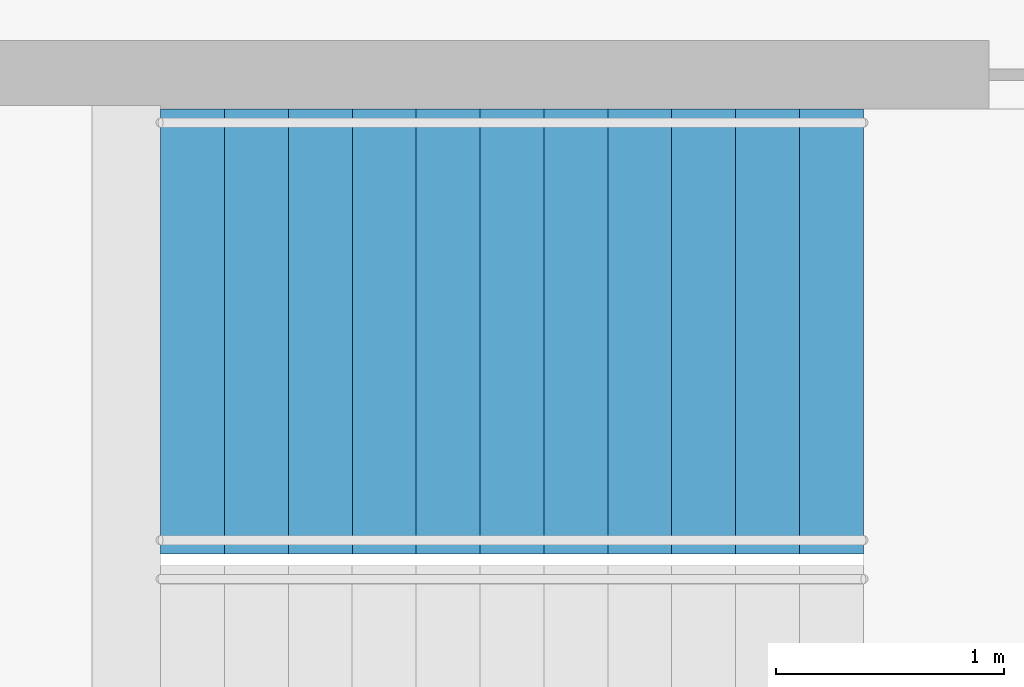
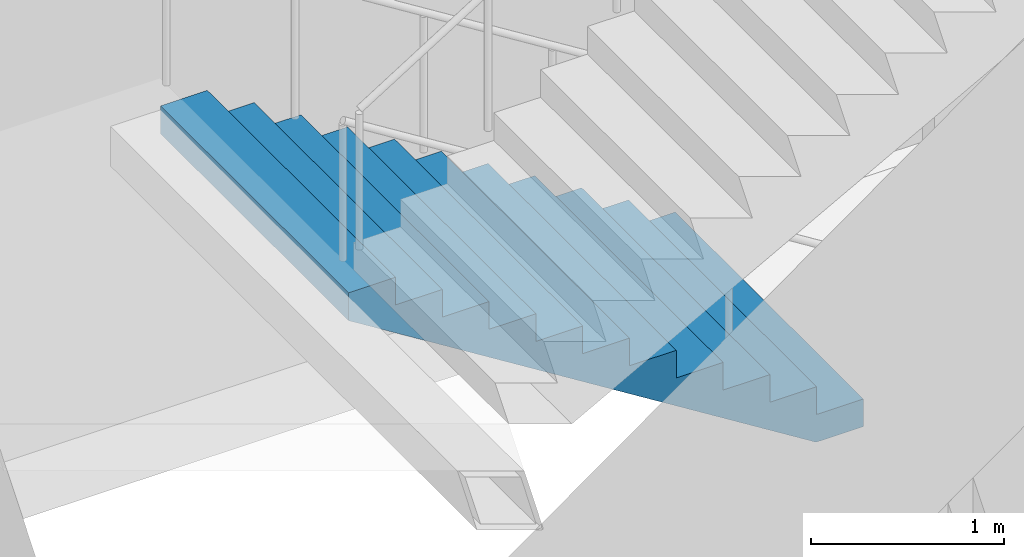
# One storey, part 22 of 23: 1 stair flight, 1 element without a shape of its own.
"""IFC4 building model written with IfcOpenShell, lengths in metres."""

from ifc_helpers import new_model, si_unit, direction, frame, origin, place, context, subcontext, project, spatial, triangles, material, type_object, element, aggregate, save


model = new_model("IFC4")

# Units and contexts
model_context = context("Model", 3, precision=1e-05, world=origin(), true_north=direction((0.0, 1.0)))
body_context = subcontext(model_context, "Body", "Model", "MODEL_VIEW")
ifc_project = project(units=[si_unit("LENGTHUNIT", "METRE"), si_unit("AREAUNIT", "SQUARE_METRE"), si_unit("VOLUMEUNIT", "CUBIC_METRE"), si_unit("PLANEANGLEUNIT", "RADIAN"), si_unit("MASSUNIT", "GRAM", prefix="KILO")], contexts=[model_context])

# Site, building, storey
site_placement = place(None, origin())
site = spatial("IfcSite", under=ifc_project, at=site_placement, CompositionType="ELEMENT")
building_placement = place(site_placement, origin())
building = spatial("IfcBuilding", under=site, at=building_placement, Name="Orbita Commons", CompositionType="ELEMENT")
storey_placement = place(building_placement, frame((0.0, 0.0, 16.0)))
storey = spatial("IfcBuildingStorey", under=building, at=storey_placement, Name="L03", CompositionType="ELEMENT", Elevation=16.0)

# Stair, stair flight
ifc_material_1 = material(Name="Precast concrete C40/50", Category="concrete")
stair_type = type_object("IfcStairType", Name="Exit stair S2 2 flights 12 risers 175", PredefinedType="HALF_TURN_STAIR", material=ifc_material_1)
stair_placement = place(storey_placement, origin())
stair = element("IfcStair", 1, at=stair_placement, inside=storey, type_object=stair_type, Name="Exit stair S2 L03", PredefinedType="HALF_TURN_STAIR")
ifc_material_2 = material(Name="Precast concrete C40/50", Category="concrete")
stair_flight_type = type_object("IfcStairFlightType", Name="Stair flight 12 risers 175 x 280", PredefinedType="STRAIGHT", material=ifc_material_2)
stair_flight_placement = place(storey_placement, frame((63.550048828125, 29.27490234375, 0.0), z_axis=(0.0, 0.0, 1.0), x_axis=(-1.0, 0.0, 0.0)))
stair_flight = element("IfcStairFlight", 2, at=stair_flight_placement, type_object=stair_flight_type, Name="S2 flight 1", NumberOfRisers=12, NumberOfTreads=11, PredefinedType="STRAIGHT", RiserHeight=0.175, TreadLength=0.28, context=body_context, shape_type="Tessellation", body=[
    triangles([(0.0, 0.974976, 0.0), (0.0, 0.974976, 0.021875), (0.0, 0.81248, 0.021875), (0.0, 0.81248, 0.0), (0.0, 0.649984, 0.021875), (0.0, 0.649984, 0.0), (0.0, 0.487488, 0.021875), (0.0, 0.487488, 0.0), (0.0, 0.324992, 0.021875), (0.0, 0.324992, 0.0), (0.0, 0.162496, 0.021875), (0.0, 0.162496, 0.0), (0.0, 0.0, 0.021875), (0.0, 0.0, 0.0), (0.0, -0.162496, 0.021875), (0.0, -0.162496, 0.0), (0.0, -0.324992, 0.021875), (0.0, -0.324992, 0.0), (0.0, -0.487488, 0.021875), (0.0, -0.487488, 0.0), (0.0, -0.649984, 0.021875), (0.0, -0.649984, 0.0), (0.0, -0.81248, 0.021875), (0.0, -0.81248, 0.0), (0.0, -0.974976, 0.021875), (0.0, -0.974976, 0.0), (0.0, 0.974976, 0.04375), (0.0, 0.81248, 0.04375), (0.0, 0.649984, 0.04375), (0.0, 0.487488, 0.04375), (0.0, 0.324992, 0.04375), (0.0, 0.162496, 0.04375), (0.0, 0.0, 0.04375), (0.0, -0.162496, 0.04375), (0.0, -0.324992, 0.04375), (0.0, -0.487488, 0.04375), (0.0, -0.649984, 0.04375), (0.0, -0.81248, 0.04375), (0.0, -0.974976, 0.04375), (0.0, 0.974976, 0.065625), (0.0, 0.81248, 0.065625), (0.0, 0.649984, 0.065625), (0.0, 0.487488, 0.065625), (0.0, 0.324992, 0.065625), (0.0, 0.162496, 0.065625), (0.0, 0.0, 0.065625), (0.0, -0.162496, 0.065625), (0.0, -0.324992, 0.065625), (0.0, -0.487488, 0.065625), (0.0, -0.649984, 0.065625), (0.0, -0.81248, 0.065625), (0.0, -0.974976, 0.065625), (0.0, 0.974976, 0.0875), (0.0, 0.81248, 0.0875), (0.0, 0.649984, 0.0875), (0.0, 0.487488, 0.0875), (0.0, 0.324992, 0.0875), (0.0, 0.162496, 0.0875), (0.0, 0.0, 0.0875), (0.0, -0.162496, 0.0875), (0.0, -0.324992, 0.0875), (0.0, -0.487488, 0.0875), (0.0, -0.649984, 0.0875), (0.0, -0.81248, 0.0875), (0.0, -0.974976, 0.0875), (0.0, 0.974976, 0.109375), (0.0, 0.81248, 0.109375), (0.0, 0.649984, 0.109375), (0.0, 0.487488, 0.109375), (0.0, 0.324992, 0.109375), (0.0, 0.162496, 0.109375), (0.0, 0.0, 0.109375), (0.0, -0.162496, 0.109375), (0.0, -0.324992, 0.109375), (0.0, -0.487488, 0.109375), (0.0, -0.649984, 0.109375), (0.0, -0.81248, 0.109375), (0.0, -0.974976, 0.109375), (0.0, 0.974976, 0.13125), (0.0, 0.81248, 0.13125), (0.0, 0.649984, 0.13125), (0.0, 0.487488, 0.13125), (0.0, 0.324992, 0.13125), (0.0, 0.162496, 0.13125), (0.0, 0.0, 0.13125), (0.0, -0.162496, 0.13125), (0.0, -0.324992, 0.13125), (0.0, -0.487488, 0.13125), (0.0, -0.649984, 0.13125), (0.0, -0.81248, 0.13125), (0.0, -0.974976, 0.13125), (0.0, 0.974976, 0.153125), (0.0, 0.81248, 0.153125), (0.0, 0.649984, 0.153125), (0.0, 0.487488, 0.153125), (0.0, 0.324992, 0.153125), (0.0, 0.162496, 0.153125), (0.0, 0.0, 0.153125), (0.0, -0.162496, 0.153125), (0.0, -0.324992, 0.153125), (0.0, -0.487488, 0.153125), (0.0, -0.649984, 0.153125), (0.0, -0.81248, 0.153125), (0.0, -0.974976, 0.153125), (0.0, 0.974976, 0.175), (0.0, 0.81248, 0.175), (0.0, 0.649984, 0.175), (0.0, 0.487488, 0.175), (0.0, 0.324992, 0.175), (0.0, 0.162496, 0.175), (0.0, 0.0, 0.175), (0.0, -0.162496, 0.175), (0.0, -0.324992, 0.175), (0.0, -0.487488, 0.175), (0.0, -0.649984, 0.175), (0.0, -0.81248, 0.175), (0.0, -0.974976, 0.175), (0.28, 0.974976, 0.175), (0.28, 0.81248, 0.175), (0.28, 0.649984, 0.175), (0.28, 0.487488, 0.175), (0.28, 0.324992, 0.175), (0.28, 0.162496, 0.175), (0.28, 0.0, 0.175), (0.28, -0.162496, 0.175), (0.28, -0.324992, 0.175), (0.28, -0.487488, 0.175), (0.28, -0.649984, 0.175), (0.28, -0.81248, 0.175), (0.28, -0.974976, 0.175), (0.28, 0.974976, 0.35), (0.28, 0.81248, 0.35), (0.28, 0.649984, 0.35), (0.28, 0.487488, 0.35), (0.28, 0.324992, 0.35), (0.28, 0.162496, 0.35), (0.28, 0.0, 0.35), (0.28, -0.162496, 0.35), (0.28, -0.324992, 0.35), (0.28, -0.487488, 0.35), (0.28, -0.649984, 0.35), (0.28, -0.81248, 0.35), (0.28, -0.974976, 0.35), (0.56, 0.974976, 0.35), (0.56, 0.81248, 0.35), (0.56, 0.649984, 0.35), (0.56, 0.487488, 0.35), (0.56, 0.324992, 0.35), (0.56, 0.162496, 0.35), (0.56, 0.0, 0.35), (0.56, -0.162496, 0.35), (0.56, -0.324992, 0.35), (0.56, -0.487488, 0.35), (0.56, -0.649984, 0.35), (0.56, -0.81248, 0.35), (0.56, -0.974976, 0.35), (0.56, 0.974976, 0.525), (0.56, 0.81248, 0.525), (0.56, 0.649984, 0.525), (0.56, 0.487488, 0.525), (0.56, 0.324992, 0.525), (0.56, 0.162496, 0.525), (0.56, 0.0, 0.525), (0.56, -0.162496, 0.525), (0.56, -0.324992, 0.525), (0.56, -0.487488, 0.525), (0.56, -0.649984, 0.525), (0.56, -0.81248, 0.525), (0.56, -0.974976, 0.525), (0.84, 0.974976, 0.525), (0.84, 0.81248, 0.525), (0.84, 0.649984, 0.525), (0.84, 0.487488, 0.525), (0.84, 0.324992, 0.525), (0.84, 0.162496, 0.525), (0.84, 0.0, 0.525), (0.84, -0.162496, 0.525), (0.84, -0.324992, 0.525), (0.84, -0.487488, 0.525), (0.84, -0.649984, 0.525), (0.84, -0.81248, 0.525), (0.84, -0.974976, 0.525), (0.84, 0.974976, 0.7), (0.84, 0.81248, 0.7), (0.84, 0.649984, 0.7), (0.84, 0.487488, 0.7), (0.84, 0.324992, 0.7), (0.84, 0.162496, 0.7), (0.84, 0.0, 0.7), (0.84, -0.162496, 0.7), (0.84, -0.324992, 0.7), (0.84, -0.487488, 0.7), (0.84, -0.649984, 0.7), (0.84, -0.81248, 0.7), (0.84, -0.974976, 0.7), (1.12, 0.974976, 0.7), (1.12, 0.81248, 0.7), (1.12, 0.649984, 0.7), (1.12, 0.487488, 0.7), (1.12, 0.324992, 0.7), (1.12, 0.162496, 0.7), (1.12, 0.0, 0.7), (1.12, -0.162496, 0.7), (1.12, -0.324992, 0.7), (1.12, -0.487488, 0.7), (1.12, -0.649984, 0.7), (1.12, -0.81248, 0.7), (1.12, -0.974976, 0.7), (1.12, 0.974976, 0.875), (1.12, 0.81248, 0.875), (1.12, 0.649984, 0.875), (1.12, 0.487488, 0.875), (1.12, 0.324992, 0.875), (1.12, 0.162496, 0.875), (1.12, 0.0, 0.875), (1.12, -0.162496, 0.875), (1.12, -0.324992, 0.875), (1.12, -0.487488, 0.875), (1.12, -0.649984, 0.875), (1.12, -0.81248, 0.875), (1.12, -0.974976, 0.875), (1.4, 0.974976, 0.875), (1.4, 0.81248, 0.875), (1.4, 0.649984, 0.875), (1.4, 0.487488, 0.875), (1.4, 0.324992, 0.875), (1.4, 0.162496, 0.875), (1.4, 0.0, 0.875), (1.4, -0.162496, 0.875), (1.4, -0.324992, 0.875), (1.4, -0.487488, 0.875), (1.4, -0.649984, 0.875), (1.4, -0.81248, 0.875), (1.4, -0.974976, 0.875), (1.4, 0.974976, 1.05), (1.4, 0.81248, 1.05), (1.4, 0.649984, 1.05), (1.4, 0.487488, 1.05), (1.4, 0.324992, 1.05), (1.4, 0.162496, 1.05), (1.4, 0.0, 1.05), (1.4, -0.162496, 1.05), (1.4, -0.324992, 1.05), (1.4, -0.487488, 1.05), (1.4, -0.649984, 1.05), (1.4, -0.81248, 1.05), (1.4, -0.974976, 1.05), (1.68, 0.974976, 1.05), (1.68, 0.81248, 1.05), (1.68, 0.649984, 1.05), (1.68, 0.487488, 1.05), (1.68, 0.324992, 1.05), (1.68, 0.162496, 1.05), (1.68, 0.0, 1.05), (1.68, -0.162496, 1.05), (1.68, -0.324992, 1.05), (1.68, -0.487488, 1.05), (1.68, -0.649984, 1.05), (1.68, -0.81248, 1.05), (1.68, -0.974976, 1.05), (1.68, 0.974976, 1.225), (1.68, 0.81248, 1.225), (1.68, 0.649984, 1.225), (1.68, 0.487488, 1.225), (1.68, 0.324992, 1.225), (1.68, 0.162496, 1.225), (1.68, 0.0, 1.225), (1.68, -0.162496, 1.225), (1.68, -0.324992, 1.225), (1.68, -0.487488, 1.225), (1.68, -0.649984, 1.225), (1.68, -0.81248, 1.225), (1.68, -0.974976, 1.225), (1.96, 0.974976, 1.225), (1.96, 0.81248, 1.225), (1.96, 0.649984, 1.225), (1.96, 0.487488, 1.225), (1.96, 0.324992, 1.225), (1.96, 0.162496, 1.225), (1.96, 0.0, 1.225), (1.96, -0.162496, 1.225), (1.96, -0.324992, 1.225), (1.96, -0.487488, 1.225), (1.96, -0.649984, 1.225), (1.96, -0.81248, 1.225), (1.96, -0.974976, 1.225), (1.96, 0.974976, 1.4), (1.96, 0.81248, 1.4), (1.96, 0.649984, 1.4), (1.96, 0.487488, 1.4), (1.96, 0.324992, 1.4), (1.96, 0.162496, 1.4), (1.96, 0.0, 1.4), (1.96, -0.162496, 1.4), (1.96, -0.324992, 1.4), (1.96, -0.487488, 1.4), (1.96, -0.649984, 1.4), (1.96, -0.81248, 1.4), (1.96, -0.974976, 1.4), (2.24, 0.974976, 1.4), (2.24, 0.81248, 1.4), (2.24, 0.649984, 1.4), (2.24, 0.487488, 1.4), (2.24, 0.324992, 1.4), (2.24, 0.162496, 1.4), (2.24, 0.0, 1.4), (2.24, -0.162496, 1.4), (2.24, -0.324992, 1.4), (2.24, -0.487488, 1.4), (2.24, -0.649984, 1.4), (2.24, -0.81248, 1.4), (2.24, -0.974976, 1.4), (2.24, 0.974976, 1.575), (2.24, 0.81248, 1.575), (2.24, 0.649984, 1.575), (2.24, 0.487488, 1.575), (2.24, 0.324992, 1.575), (2.24, 0.162496, 1.575), (2.24, 0.0, 1.575), (2.24, -0.162496, 1.575), (2.24, -0.324992, 1.575), (2.24, -0.487488, 1.575), (2.24, -0.649984, 1.575), (2.24, -0.81248, 1.575), (2.24, -0.974976, 1.575), (2.52, 0.974976, 1.575), (2.52, 0.81248, 1.575), (2.52, 0.649984, 1.575), (2.52, 0.487488, 1.575), (2.52, 0.324992, 1.575), (2.52, 0.162496, 1.575), (2.52, 0.0, 1.575), (2.52, -0.162496, 1.575), (2.52, -0.324992, 1.575), (2.52, -0.487488, 1.575), (2.52, -0.649984, 1.575), (2.52, -0.81248, 1.575), (2.52, -0.974976, 1.575), (2.52, 0.974976, 1.75), (2.52, 0.81248, 1.75), (2.52, 0.649984, 1.75), (2.52, 0.487488, 1.75), (2.52, 0.324992, 1.75), (2.52, 0.162496, 1.75), (2.52, 0.0, 1.75), (2.52, -0.162496, 1.75), (2.52, -0.324992, 1.75), (2.52, -0.487488, 1.75), (2.52, -0.649984, 1.75), (2.52, -0.81248, 1.75), (2.52, -0.974976, 1.75), (2.8, 0.974976, 1.75), (2.8, 0.81248, 1.75), (2.8, 0.649984, 1.75), (2.8, 0.487488, 1.75), (2.8, 0.324992, 1.75), (2.8, 0.162496, 1.75), (2.8, 0.0, 1.75), (2.8, -0.162496, 1.75), (2.8, -0.324992, 1.75), (2.8, -0.487488, 1.75), (2.8, -0.649984, 1.75), (2.8, -0.81248, 1.75), (2.8, -0.974976, 1.75), (2.8, 0.974976, 1.925), (2.8, 0.81248, 1.925), (2.8, 0.649984, 1.925), (2.8, 0.487488, 1.925), (2.8, 0.324992, 1.925), (2.8, 0.162496, 1.925), (2.8, 0.0, 1.925), (2.8, -0.162496, 1.925), (2.8, -0.324992, 1.925), (2.8, -0.487488, 1.925), (2.8, -0.649984, 1.925), (2.8, -0.81248, 1.925), (2.8, -0.974976, 1.925), (3.08, 0.974976, 1.925), (3.08, 0.81248, 1.925), (3.08, 0.649984, 1.925), (3.08, 0.487488, 1.925), (3.08, 0.324992, 1.925), (3.08, 0.162496, 1.925), (3.08, 0.0, 1.925), (3.08, -0.162496, 1.925), (3.08, -0.324992, 1.925), (3.08, -0.487488, 1.925), (3.08, -0.649984, 1.925), (3.08, -0.81248, 1.925), (3.08, -0.974976, 1.925), (3.08, 0.974976, 1.902904), (3.08, 0.81248, 1.902904), (3.08, 0.649984, 1.902904), (3.08, 0.487488, 1.902904), (3.08, 0.324992, 1.902904), (3.08, 0.162496, 1.902904), (3.08, 0.0, 1.902904), (3.08, -0.162496, 1.902904), (3.08, -0.324992, 1.902904), (3.08, -0.487488, 1.902904), (3.08, -0.649984, 1.902904), (3.08, -0.81248, 1.902904), (3.08, -0.974976, 1.902904), (3.08, 0.974976, 1.880807), (3.08, 0.81248, 1.880807), (3.08, 0.649984, 1.880807), (3.08, 0.487488, 1.880807), (3.08, 0.324992, 1.880807), (3.08, 0.162496, 1.880807), (3.08, 0.0, 1.880807), (3.08, -0.162496, 1.880807), (3.08, -0.324992, 1.880807), (3.08, -0.487488, 1.880807), (3.08, -0.649984, 1.880807), (3.08, -0.81248, 1.880807), (3.08, -0.974976, 1.880807), (3.08, 0.974976, 1.858711), (3.08, 0.81248, 1.858711), (3.08, 0.649984, 1.858711), (3.08, 0.487488, 1.858711), (3.08, 0.324992, 1.858711), (3.08, 0.162496, 1.858711), (3.08, 0.0, 1.858711), (3.08, -0.162496, 1.858711), (3.08, -0.324992, 1.858711), (3.08, -0.487488, 1.858711), (3.08, -0.649984, 1.858711), (3.08, -0.81248, 1.858711), (3.08, -0.974976, 1.858711), (3.08, 0.974976, 1.836614), (3.08, 0.81248, 1.836614), (3.08, 0.649984, 1.836614), (3.08, 0.487488, 1.836614), (3.08, 0.324992, 1.836614), (3.08, 0.162496, 1.836614), (3.08, 0.0, 1.836614), (3.08, -0.162496, 1.836614), (3.08, -0.324992, 1.836614), (3.08, -0.487488, 1.836614), (3.08, -0.649984, 1.836614), (3.08, -0.81248, 1.836614), (3.08, -0.974976, 1.836614), (3.08, 0.974976, 1.814518), (3.08, 0.81248, 1.814518), (3.08, 0.649984, 1.814518), (3.08, 0.487488, 1.814518), (3.08, 0.324992, 1.814518), (3.08, 0.162496, 1.814518), (3.08, 0.0, 1.814518), (3.08, -0.162496, 1.814518), (3.08, -0.324992, 1.814518), (3.08, -0.487488, 1.814518), (3.08, -0.649984, 1.814518), (3.08, -0.81248, 1.814518), (3.08, -0.974976, 1.814518), (3.08, 0.974976, 1.792421), (3.08, 0.81248, 1.792421), (3.08, 0.649984, 1.792421), (3.08, 0.487488, 1.792421), (3.08, 0.324992, 1.792421), (3.08, 0.162496, 1.792421), (3.08, 0.0, 1.792421), (3.08, -0.162496, 1.792421), (3.08, -0.324992, 1.792421), (3.08, -0.487488, 1.792421), (3.08, -0.649984, 1.792421), (3.08, -0.81248, 1.792421), (3.08, -0.974976, 1.792421), (3.08, 0.974976, 1.770325), (3.08, 0.81248, 1.770325), (3.08, 0.649984, 1.770325), (3.08, 0.487488, 1.770325), (3.08, 0.324992, 1.770325), (3.08, 0.162496, 1.770325), (3.08, 0.0, 1.770325), (3.08, -0.162496, 1.770325), (3.08, -0.324992, 1.770325), (3.08, -0.487488, 1.770325), (3.08, -0.649984, 1.770325), (3.08, -0.81248, 1.770325), (3.08, -0.974976, 1.770325), (3.08, 0.974976, 1.748228), (3.08, 0.81248, 1.748228), (3.08, 0.649984, 1.748228), (3.08, 0.487488, 1.748228), (3.08, 0.324992, 1.748228), (3.08, 0.162496, 1.748228), (3.08, 0.0, 1.748228), (3.08, -0.162496, 1.748228), (3.08, -0.324992, 1.748228), (3.08, -0.487488, 1.748228), (3.08, -0.649984, 1.748228), (3.08, -0.81248, 1.748228), (3.08, -0.974976, 1.748228), (0.282835, 0.974976, 0.0), (0.282835, 0.81248, 0.0), (0.282835, 0.649984, 0.0), (0.282835, 0.487488, 0.0), (0.282835, 0.324992, 0.0), (0.282835, 0.162496, 0.0), (0.282835, 0.0, 0.0), (0.282835, -0.162496, 0.0), (0.282835, -0.324992, 0.0), (0.282835, -0.487488, 0.0), (0.282835, -0.649984, 0.0), (0.282835, -0.81248, 0.0), (0.282835, -0.974976, 0.0)], [[3, 2, 1], [4, 3, 1], [5, 3, 4], [6, 5, 4], [7, 5, 6], [8, 7, 6], [9, 7, 8], [10, 9, 8], [11, 9, 10], [12, 11, 10], [13, 11, 12], [14, 13, 12], [15, 13, 14], [16, 15, 14], [17, 15, 16], [18, 17, 16], [19, 17, 18], [20, 19, 18], [21, 19, 20], [22, 21, 20], [23, 21, 22], [24, 23, 22], [25, 23, 24], [26, 25, 24], [28, 27, 2], [3, 28, 2], [29, 28, 3], [5, 29, 3], [30, 29, 5], [7, 30, 5], [31, 30, 7], [9, 31, 7], [32, 31, 9], [11, 32, 9], [33, 32, 11], [13, 33, 11], [34, 33, 13], [15, 34, 13], [35, 34, 15], [17, 35, 15], [36, 35, 17], [19, 36, 17], [37, 36, 19], [21, 37, 19], [38, 37, 21], [23, 38, 21], [39, 38, 23], [25, 39, 23], [41, 40, 27], [28, 41, 27], [42, 41, 28], [29, 42, 28], [43, 42, 29], [30, 43, 29], [44, 43, 30], [31, 44, 30], [45, 44, 31], [32, 45, 31], [46, 45, 32], [33, 46, 32], [47, 46, 33], [34, 47, 33], [48, 47, 34], [35, 48, 34], [49, 48, 35], [36, 49, 35], [50, 49, 36], [37, 50, 36], [51, 50, 37], [38, 51, 37], [52, 51, 38], [39, 52, 38], [54, 53, 40], [41, 54, 40], [55, 54, 41], [42, 55, 41], [56, 55, 42], [43, 56, 42], [57, 56, 43], [44, 57, 43], [58, 57, 44], [45, 58, 44], [59, 58, 45], [46, 59, 45], [60, 59, 46], [47, 60, 46], [61, 60, 47], [48, 61, 47], [62, 61, 48], [49, 62, 48], [63, 62, 49], [50, 63, 49], [64, 63, 50], [51, 64, 50], [65, 64, 51], [52, 65, 51], [67, 66, 53], [54, 67, 53], [68, 67, 54], [55, 68, 54], [69, 68, 55], [56, 69, 55], [70, 69, 56], [57, 70, 56], [71, 70, 57], [58, 71, 57], [72, 71, 58], [59, 72, 58], [73, 72, 59], [60, 73, 59], [74, 73, 60], [61, 74, 60], [75, 74, 61], [62, 75, 61], [76, 75, 62], [63, 76, 62], [77, 76, 63], [64, 77, 63], [78, 77, 64], [65, 78, 64], [80, 79, 66], [67, 80, 66], [81, 80, 67], [68, 81, 67], [82, 81, 68], [69, 82, 68], [83, 82, 69], [70, 83, 69], [84, 83, 70], [71, 84, 70], [85, 84, 71], [72, 85, 71], [86, 85, 72], [73, 86, 72], [87, 86, 73], [74, 87, 73], [88, 87, 74], [75, 88, 74], [89, 88, 75], [76, 89, 75], [90, 89, 76], [77, 90, 76], [91, 90, 77], [78, 91, 77], [93, 92, 79], [80, 93, 79], [94, 93, 80], [81, 94, 80], [95, 94, 81], [82, 95, 81], [96, 95, 82], [83, 96, 82], [97, 96, 83], [84, 97, 83], [98, 97, 84], [85, 98, 84], [99, 98, 85], [86, 99, 85], [100, 99, 86], [87, 100, 86], [101, 100, 87], [88, 101, 87], [102, 101, 88], [89, 102, 88], [103, 102, 89], [90, 103, 89], [104, 103, 90], [91, 104, 90], [106, 105, 92], [93, 106, 92], [107, 106, 93], [94, 107, 93], [108, 107, 94], [95, 108, 94], [109, 108, 95], [96, 109, 95], [110, 109, 96], [97, 110, 96], [111, 110, 97], [98, 111, 97], [112, 111, 98], [99, 112, 98], [113, 112, 99], [100, 113, 99], [114, 113, 100], [101, 114, 100], [115, 114, 101], [102, 115, 101], [116, 115, 102], [103, 116, 102], [117, 116, 103], [104, 117, 103], [119, 118, 105], [106, 119, 105], [120, 119, 106], [107, 120, 106], [121, 120, 107], [108, 121, 107], [122, 121, 108], [109, 122, 108], [123, 122, 109], [110, 123, 109], [124, 123, 110], [111, 124, 110], [125, 124, 111], [112, 125, 111], [126, 125, 112], [113, 126, 112], [127, 126, 113], [114, 127, 113], [128, 127, 114], [115, 128, 114], [129, 128, 115], [116, 129, 115], [130, 129, 116], [117, 130, 116], [132, 131, 118], [119, 132, 118], [133, 132, 119], [120, 133, 119], [134, 133, 120], [121, 134, 120], [135, 134, 121], [122, 135, 121], [136, 135, 122], [123, 136, 122], [137, 136, 123], [124, 137, 123], [138, 137, 124], [125, 138, 124], [139, 138, 125], [126, 139, 125], [140, 139, 126], [127, 140, 126], [141, 140, 127], [128, 141, 127], [142, 141, 128], [129, 142, 128], [143, 142, 129], [130, 143, 129], [145, 144, 131], [132, 145, 131], [146, 145, 132], [133, 146, 132], [147, 146, 133], [134, 147, 133], [148, 147, 134], [135, 148, 134], [149, 148, 135], [136, 149, 135], [150, 149, 136], [137, 150, 136], [151, 150, 137], [138, 151, 137], [152, 151, 138], [139, 152, 138], [153, 152, 139], [140, 153, 139], [154, 153, 140], [141, 154, 140], [155, 154, 141], [142, 155, 141], [156, 155, 142], [143, 156, 142], [158, 157, 144], [145, 158, 144], [159, 158, 145], [146, 159, 145], [160, 159, 146], [147, 160, 146], [161, 160, 147], [148, 161, 147], [162, 161, 148], [149, 162, 148], [163, 162, 149], [150, 163, 149], [164, 163, 150], [151, 164, 150], [165, 164, 151], [152, 165, 151], [166, 165, 152], [153, 166, 152], [167, 166, 153], [154, 167, 153], [168, 167, 154], [155, 168, 154], [169, 168, 155], [156, 169, 155], [171, 170, 157], [158, 171, 157], [172, 171, 158], [159, 172, 158], [173, 172, 159], [160, 173, 159], [174, 173, 160], [161, 174, 160], [175, 174, 161], [162, 175, 161], [176, 175, 162], [163, 176, 162], [177, 176, 163], [164, 177, 163], [178, 177, 164], [165, 178, 164], [179, 178, 165], [166, 179, 165], [180, 179, 166], [167, 180, 166], [181, 180, 167], [168, 181, 167], [182, 181, 168], [169, 182, 168], [184, 183, 170], [171, 184, 170], [185, 184, 171], [172, 185, 171], [186, 185, 172], [173, 186, 172], [187, 186, 173], [174, 187, 173], [188, 187, 174], [175, 188, 174], [189, 188, 175], [176, 189, 175], [190, 189, 176], [177, 190, 176], [191, 190, 177], [178, 191, 177], [192, 191, 178], [179, 192, 178], [193, 192, 179], [180, 193, 179], [194, 193, 180], [181, 194, 180], [195, 194, 181], [182, 195, 181], [197, 196, 183], [184, 197, 183], [198, 197, 184], [185, 198, 184], [199, 198, 185], [186, 199, 185], [200, 199, 186], [187, 200, 186], [201, 200, 187], [188, 201, 187], [202, 201, 188], [189, 202, 188], [203, 202, 189], [190, 203, 189], [204, 203, 190], [191, 204, 190], [205, 204, 191], [192, 205, 191], [206, 205, 192], [193, 206, 192], [207, 206, 193], [194, 207, 193], [208, 207, 194], [195, 208, 194], [210, 209, 196], [197, 210, 196], [211, 210, 197], [198, 211, 197], [212, 211, 198], [199, 212, 198], [213, 212, 199], [200, 213, 199], [214, 213, 200], [201, 214, 200], [215, 214, 201], [202, 215, 201], [216, 215, 202], [203, 216, 202], [217, 216, 203], [204, 217, 203], [218, 217, 204], [205, 218, 204], [219, 218, 205], [206, 219, 205], [220, 219, 206], [207, 220, 206], [221, 220, 207], [208, 221, 207], [223, 222, 209], [210, 223, 209], [224, 223, 210], [211, 224, 210], [225, 224, 211], [212, 225, 211], [226, 225, 212], [213, 226, 212], [227, 226, 213], [214, 227, 213], [228, 227, 214], [215, 228, 214], [229, 228, 215], [216, 229, 215], [230, 229, 216], [217, 230, 216], [231, 230, 217], [218, 231, 217], [232, 231, 218], [219, 232, 218], [233, 232, 219], [220, 233, 219], [234, 233, 220], [221, 234, 220], [236, 235, 222], [223, 236, 222], [237, 236, 223], [224, 237, 223], [238, 237, 224], [225, 238, 224], [239, 238, 225], [226, 239, 225], [240, 239, 226], [227, 240, 226], [241, 240, 227], [228, 241, 227], [242, 241, 228], [229, 242, 228], [243, 242, 229], [230, 243, 229], [244, 243, 230], [231, 244, 230], [245, 244, 231], [232, 245, 231], [246, 245, 232], [233, 246, 232], [247, 246, 233], [234, 247, 233], [249, 248, 235], [236, 249, 235], [250, 249, 236], [237, 250, 236], [251, 250, 237], [238, 251, 237], [252, 251, 238], [239, 252, 238], [253, 252, 239], [240, 253, 239], [254, 253, 240], [241, 254, 240], [255, 254, 241], [242, 255, 241], [256, 255, 242], [243, 256, 242], [257, 256, 243], [244, 257, 243], [258, 257, 244], [245, 258, 244], [259, 258, 245], [246, 259, 245], [260, 259, 246], [247, 260, 246], [262, 261, 248], [249, 262, 248], [263, 262, 249], [250, 263, 249], [264, 263, 250], [251, 264, 250], [265, 264, 251], [252, 265, 251], [266, 265, 252], [253, 266, 252], [267, 266, 253], [254, 267, 253], [268, 267, 254], [255, 268, 254], [269, 268, 255], [256, 269, 255], [270, 269, 256], [257, 270, 256], [271, 270, 257], [258, 271, 257], [272, 271, 258], [259, 272, 258], [273, 272, 259], [260, 273, 259], [275, 274, 261], [262, 275, 261], [276, 275, 262], [263, 276, 262], [277, 276, 263], [264, 277, 263], [278, 277, 264], [265, 278, 264], [279, 278, 265], [266, 279, 265], [280, 279, 266], [267, 280, 266], [281, 280, 267], [268, 281, 267], [282, 281, 268], [269, 282, 268], [283, 282, 269], [270, 283, 269], [284, 283, 270], [271, 284, 270], [285, 284, 271], [272, 285, 271], [286, 285, 272], [273, 286, 272], [288, 287, 274], [275, 288, 274], [289, 288, 275], [276, 289, 275], [290, 289, 276], [277, 290, 276], [291, 290, 277], [278, 291, 277], [292, 291, 278], [279, 292, 278], [293, 292, 279], [280, 293, 279], [294, 293, 280], [281, 294, 280], [295, 294, 281], [282, 295, 281], [296, 295, 282], [283, 296, 282], [297, 296, 283], [284, 297, 283], [298, 297, 284], [285, 298, 284], [299, 298, 285], [286, 299, 285], [301, 300, 287], [288, 301, 287], [302, 301, 288], [289, 302, 288], [303, 302, 289], [290, 303, 289], [304, 303, 290], [291, 304, 290], [305, 304, 291], [292, 305, 291], [306, 305, 292], [293, 306, 292], [307, 306, 293], [294, 307, 293], [308, 307, 294], [295, 308, 294], [309, 308, 295], [296, 309, 295], [310, 309, 296], [297, 310, 296], [311, 310, 297], [298, 311, 297], [312, 311, 298], [299, 312, 298], [314, 313, 300], [301, 314, 300], [315, 314, 301], [302, 315, 301], [316, 315, 302], [303, 316, 302], [317, 316, 303], [304, 317, 303], [318, 317, 304], [305, 318, 304], [319, 318, 305], [306, 319, 305], [320, 319, 306], [307, 320, 306], [321, 320, 307], [308, 321, 307], [322, 321, 308], [309, 322, 308], [323, 322, 309], [310, 323, 309], [324, 323, 310], [311, 324, 310], [325, 324, 311], [312, 325, 311], [327, 326, 313], [314, 327, 313], [328, 327, 314], [315, 328, 314], [329, 328, 315], [316, 329, 315], [330, 329, 316], [317, 330, 316], [331, 330, 317], [318, 331, 317], [332, 331, 318], [319, 332, 318], [333, 332, 319], [320, 333, 319], [334, 333, 320], [321, 334, 320], [335, 334, 321], [322, 335, 321], [336, 335, 322], [323, 336, 322], [337, 336, 323], [324, 337, 323], [338, 337, 324], [325, 338, 324], [340, 339, 326], [327, 340, 326], [341, 340, 327], [328, 341, 327], [342, 341, 328], [329, 342, 328], [343, 342, 329], [330, 343, 329], [344, 343, 330], [331, 344, 330], [345, 344, 331], [332, 345, 331], [346, 345, 332], [333, 346, 332], [347, 346, 333], [334, 347, 333], [348, 347, 334], [335, 348, 334], [349, 348, 335], [336, 349, 335], [350, 349, 336], [337, 350, 336], [351, 350, 337], [338, 351, 337], [353, 352, 339], [340, 353, 339], [354, 353, 340], [341, 354, 340], [355, 354, 341], [342, 355, 341], [356, 355, 342], [343, 356, 342], [357, 356, 343], [344, 357, 343], [358, 357, 344], [345, 358, 344], [359, 358, 345], [346, 359, 345], [360, 359, 346], [347, 360, 346], [361, 360, 347], [348, 361, 347], [362, 361, 348], [349, 362, 348], [363, 362, 349], [350, 363, 349], [364, 363, 350], [351, 364, 350], [366, 365, 352], [353, 366, 352], [367, 366, 353], [354, 367, 353], [368, 367, 354], [355, 368, 354], [369, 368, 355], [356, 369, 355], [370, 369, 356], [357, 370, 356], [371, 370, 357], [358, 371, 357], [372, 371, 358], [359, 372, 358], [373, 372, 359], [360, 373, 359], [374, 373, 360], [361, 374, 360], [375, 374, 361], [362, 375, 361], [376, 375, 362], [363, 376, 362], [377, 376, 363], [364, 377, 363], [379, 378, 365], [366, 379, 365], [380, 379, 366], [367, 380, 366], [381, 380, 367], [368, 381, 367], [382, 381, 368], [369, 382, 368], [383, 382, 369], [370, 383, 369], [384, 383, 370], [371, 384, 370], [385, 384, 371], [372, 385, 371], [386, 385, 372], [373, 386, 372], [387, 386, 373], [374, 387, 373], [388, 387, 374], [375, 388, 374], [389, 388, 375], [376, 389, 375], [390, 389, 376], [377, 390, 376], [392, 391, 378], [379, 392, 378], [393, 392, 379], [380, 393, 379], [394, 393, 380], [381, 394, 380], [395, 394, 381], [382, 395, 381], [396, 395, 382], [383, 396, 382], [397, 396, 383], [384, 397, 383], [398, 397, 384], [385, 398, 384], [399, 398, 385], [386, 399, 385], [400, 399, 386], [387, 400, 386], [401, 400, 387], [388, 401, 387], [402, 401, 388], [389, 402, 388], [403, 402, 389], [390, 403, 389], [405, 404, 391], [392, 405, 391], [406, 405, 392], [393, 406, 392], [407, 406, 393], [394, 407, 393], [408, 407, 394], [395, 408, 394], [409, 408, 395], [396, 409, 395], [410, 409, 396], [397, 410, 396], [411, 410, 397], [398, 411, 397], [412, 411, 398], [399, 412, 398], [413, 412, 399], [400, 413, 399], [414, 413, 400], [401, 414, 400], [415, 414, 401], [402, 415, 401], [416, 415, 402], [403, 416, 402], [418, 417, 404], [405, 418, 404], [419, 418, 405], [406, 419, 405], [420, 419, 406], [407, 420, 406], [421, 420, 407], [408, 421, 407], [422, 421, 408], [409, 422, 408], [423, 422, 409], [410, 423, 409], [424, 423, 410], [411, 424, 410], [425, 424, 411], [412, 425, 411], [426, 425, 412], [413, 426, 412], [427, 426, 413], [414, 427, 413], [428, 427, 414], [415, 428, 414], [429, 428, 415], [416, 429, 415], [431, 430, 417], [418, 431, 417], [432, 431, 418], [419, 432, 418], [433, 432, 419], [420, 433, 419], [434, 433, 420], [421, 434, 420], [435, 434, 421], [422, 435, 421], [436, 435, 422], [423, 436, 422], [437, 436, 423], [424, 437, 423], [438, 437, 424], [425, 438, 424], [439, 438, 425], [426, 439, 425], [440, 439, 426], [427, 440, 426], [441, 440, 427], [428, 441, 427], [442, 441, 428], [429, 442, 428], [444, 443, 430], [431, 444, 430], [445, 444, 431], [432, 445, 431], [446, 445, 432], [433, 446, 432], [447, 446, 433], [434, 447, 433], [448, 447, 434], [435, 448, 434], [449, 448, 435], [436, 449, 435], [450, 449, 436], [437, 450, 436], [451, 450, 437], [438, 451, 437], [452, 451, 438], [439, 452, 438], [453, 452, 439], [440, 453, 439], [454, 453, 440], [441, 454, 440], [455, 454, 441], [442, 455, 441], [457, 456, 443], [444, 457, 443], [458, 457, 444], [445, 458, 444], [459, 458, 445], [446, 459, 445], [460, 459, 446], [447, 460, 446], [461, 460, 447], [448, 461, 447], [462, 461, 448], [449, 462, 448], [463, 462, 449], [450, 463, 449], [464, 463, 450], [451, 464, 450], [465, 464, 451], [452, 465, 451], [466, 465, 452], [453, 466, 452], [467, 466, 453], [454, 467, 453], [468, 467, 454], [455, 468, 454], [470, 469, 456], [457, 470, 456], [471, 470, 457], [458, 471, 457], [472, 471, 458], [459, 472, 458], [473, 472, 459], [460, 473, 459], [474, 473, 460], [461, 474, 460], [475, 474, 461], [462, 475, 461], [476, 475, 462], [463, 476, 462], [477, 476, 463], [464, 477, 463], [478, 477, 464], [465, 478, 464], [479, 478, 465], [466, 479, 465], [480, 479, 466], [467, 480, 466], [481, 480, 467], [468, 481, 467], [483, 482, 469], [470, 483, 469], [484, 483, 470], [471, 484, 470], [485, 484, 471], [472, 485, 471], [486, 485, 472], [473, 486, 472], [487, 486, 473], [474, 487, 473], [488, 487, 474], [475, 488, 474], [489, 488, 475], [476, 489, 475], [490, 489, 476], [477, 490, 476], [491, 490, 477], [478, 491, 477], [492, 491, 478], [479, 492, 478], [493, 492, 479], [480, 493, 479], [494, 493, 480], [481, 494, 480], [496, 495, 482], [483, 496, 482], [497, 496, 483], [484, 497, 483], [498, 497, 484], [485, 498, 484], [499, 498, 485], [486, 499, 485], [500, 499, 486], [487, 500, 486], [501, 500, 487], [488, 501, 487], [502, 501, 488], [489, 502, 488], [503, 502, 489], [490, 503, 489], [504, 503, 490], [491, 504, 490], [505, 504, 491], [492, 505, 491], [506, 505, 492], [493, 506, 492], [507, 506, 493], [494, 507, 493], [4, 1, 495], [496, 4, 495], [6, 4, 496], [497, 6, 496], [8, 6, 497], [498, 8, 497], [10, 8, 498], [499, 10, 498], [12, 10, 499], [500, 12, 499], [14, 12, 500], [501, 14, 500], [16, 14, 501], [502, 16, 501], [18, 16, 502], [503, 18, 502], [20, 18, 503], [504, 20, 503], [22, 20, 504], [505, 22, 504], [24, 22, 505], [506, 24, 505], [26, 24, 506], [507, 26, 506], [482, 495, 1], [26, 507, 494], [469, 482, 1], [26, 494, 481], [456, 469, 1], [26, 481, 468], [443, 456, 1], [26, 468, 455], [430, 443, 1], [26, 455, 442], [417, 430, 1], [26, 442, 429], [404, 417, 1], [26, 429, 416], [391, 404, 1], [26, 416, 403], [365, 378, 391], [403, 390, 377], [352, 365, 391], [403, 377, 364], [326, 339, 352], [364, 351, 338], [326, 352, 391], [403, 364, 338], [300, 313, 326], [338, 325, 312], [300, 326, 391], [403, 338, 312], [274, 287, 300], [312, 299, 286], [274, 300, 391], [403, 312, 286], [248, 261, 274], [286, 273, 260], [248, 274, 391], [403, 286, 260], [222, 235, 248], [260, 247, 234], [222, 248, 391], [403, 260, 234], [196, 209, 222], [234, 221, 208], [196, 222, 391], [403, 234, 208], [170, 183, 196], [208, 195, 182], [170, 196, 391], [403, 208, 182], [144, 157, 170], [182, 169, 156], [144, 170, 391], [403, 182, 156], [118, 131, 144], [156, 143, 130], [118, 144, 391], [403, 156, 130], [118, 391, 1], [26, 403, 130], [92, 105, 118], [130, 117, 104], [79, 92, 118], [130, 104, 91], [66, 79, 118], [130, 91, 78], [53, 66, 118], [130, 78, 65], [40, 53, 118], [130, 65, 52], [27, 40, 118], [130, 52, 39], [2, 27, 118], [130, 39, 25], [1, 2, 118], [130, 25, 26]], closed=True),
])
aggregate(stair, [stair_flight])

save(model, "model.ifc")
